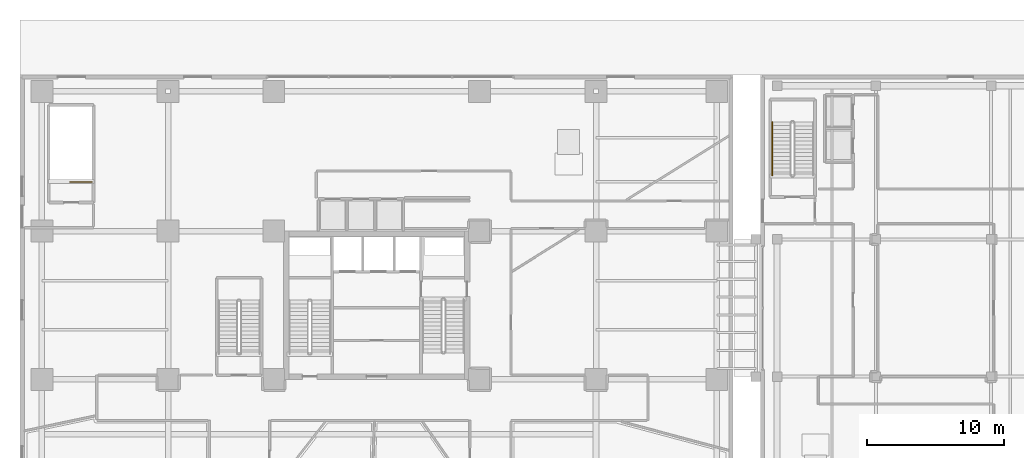
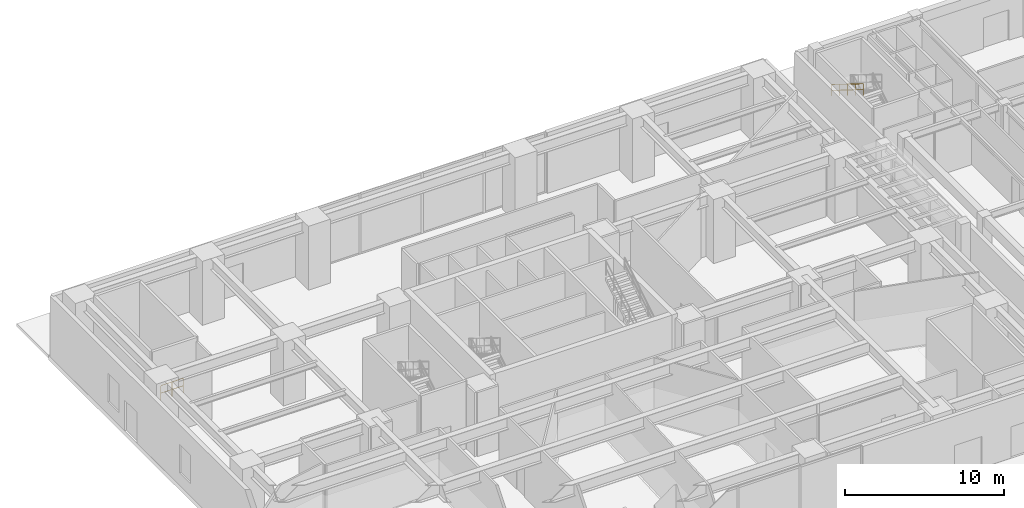
# One storey, part 26 of 28: 2 railings.
"""IFC4 building model written with IfcOpenShell, lengths in metres."""

from ifc_helpers import new_model, si_unit, direction, frame, origin, origin_2d, place, context, subcontext, project, spatial, circle, extrude, material, type_object, element, save


model = new_model("IFC4")

# Units and contexts
model_context = context("Model", 3, precision=1e-05, world=origin(), true_north=direction((0.0, 1.0)))
body_context = subcontext(model_context, "Body", "Model", "MODEL_VIEW")
ifc_project = project(units=[si_unit("LENGTHUNIT", "METRE"), si_unit("AREAUNIT", "SQUARE_METRE"), si_unit("VOLUMEUNIT", "CUBIC_METRE"), si_unit("PLANEANGLEUNIT", "RADIAN"), si_unit("MASSUNIT", "GRAM", prefix="KILO")], contexts=[model_context])

# Site, building, storey
site_placement = place(None, origin())
site = spatial("IfcSite", under=ifc_project, at=site_placement, CompositionType="ELEMENT")
building_placement = place(site_placement, origin())
building = spatial("IfcBuilding", under=site, at=building_placement, Name="Talar Marvaseh", CompositionType="ELEMENT")
storey_placement = place(building_placement, origin())
storey = spatial("IfcBuildingStorey", under=building, at=storey_placement, Name="L00", CompositionType="ELEMENT", Elevation=0.0)

# Railings
ifc_material = material(Name="Stainless Steel Grade 316", Category="steel")
railing_type_1 = type_object("IfcRailingType", Name="Brushed Stainless Wall Pitch Handrail 900", PredefinedType="HANDRAIL", material=ifc_material)
railing_1_placement = place(storey_placement, frame((54.85009765625, 44.570068359375, 2.7734375)))
element("IfcRailing", 1, at=railing_1_placement, inside=storey, type_object=railing_type_1, Name="L00 MH-ST1 stair handrail 2", PredefinedType="HANDRAIL", context=body_context, shape_type="SweptSolid", body=[
    extrude(circle(Radius=0.02392578125, at=origin_2d()), frame((0.0, 0.0, 0.8759765625), z_axis=(0.0, -0.850289973577, 0.526314507528), x_axis=(1.0, 0.0, 0.0)), (0.0, 0.0, 1.0), 4.6103515625),
    extrude(circle(Radius=0.02392578125, at=origin_2d()), frame((0.0, 0.0, 0.42578125), z_axis=(0.0, -0.850289973577, 0.526314507528), x_axis=(1.0, 0.0, 0.0)), (0.0, 0.0, 1.0), 4.6103515625),
    extrude(circle(Radius=0.02099609375, at=origin_2d()), origin(), (0.0, 0.0, 1.0), 0.851806640625),
    extrude(circle(Radius=0.02099609375, at=origin_2d()), frame((0.0, -0.97998046875, 0.606689453125)), (0.0, 0.0, 1.0), 0.851806640625),
    extrude(circle(Radius=0.02099609375, at=origin_2d()), frame((0.0, -1.9599609375, 1.21337890625)), (0.0, 0.0, 1.0), 0.851806640625),
    extrude(circle(Radius=0.02099609375, at=origin_2d()), frame((0.0, -2.940185546875, 1.81982421875)), (0.0, 0.0, 1.0), 0.851806640625),
    extrude(circle(Radius=0.02099609375, at=origin_2d()), frame((0.0, -3.920166015625, 2.426513671875)), (0.0, 0.0, 1.0), 0.851806640625),
])
railing_type_2 = type_object("IfcRailingType", Name="Painted Steel Core Stair Well Guardrail 1150", PredefinedType="GUARDRAIL", material=ifc_material)
railing_2_placement = place(storey_placement, frame((5.260009765625, 40.199951171875, 0.0)))
element("IfcRailing", 2, at=railing_2_placement, inside=storey, type_object=railing_type_2, Name="L00 STN-ST1 top well guard 1", PredefinedType="GUARDRAIL", context=body_context, shape_type="SweptSolid", body=[
    extrude(circle(Radius=0.02392578125, at=origin_2d()), frame((0.0, 0.0, 1.1259765625), z_axis=(-1.0, 0.0, 0.0), x_axis=(0.0, -1.0, 0.0)), (0.0, 0.0, 1.0), 1.610107421875),
    extrude(circle(Radius=0.02392578125, at=origin_2d()), frame((0.0, 0.0, 0.55078125), z_axis=(-1.0, 0.0, 0.0), x_axis=(0.0, -1.0, 0.0)), (0.0, 0.0, 1.0), 1.610107421875),
    extrude(circle(Radius=0.02099609375, at=origin_2d()), origin(), (0.0, 0.0, 1.0), 1.101806640625),
    extrude(circle(Radius=0.02099609375, at=origin_2d()), frame((-0.80517578125, 0.0, 0.0)), (0.0, 0.0, 1.0), 1.101806640625),
    extrude(circle(Radius=0.02099609375, at=origin_2d()), frame((-1.610107421875, 0.0, 0.0)), (0.0, 0.0, 1.0), 1.101806640625),
])

save(model, "model.ifc")
